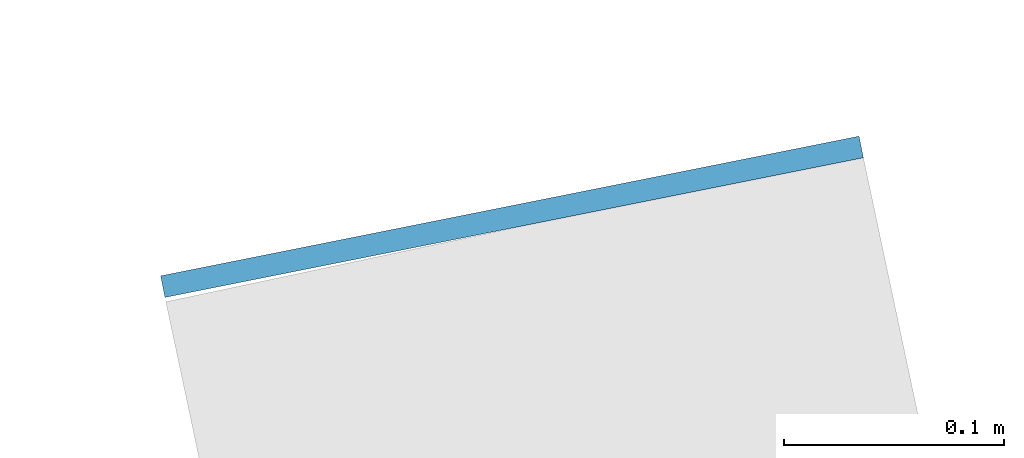
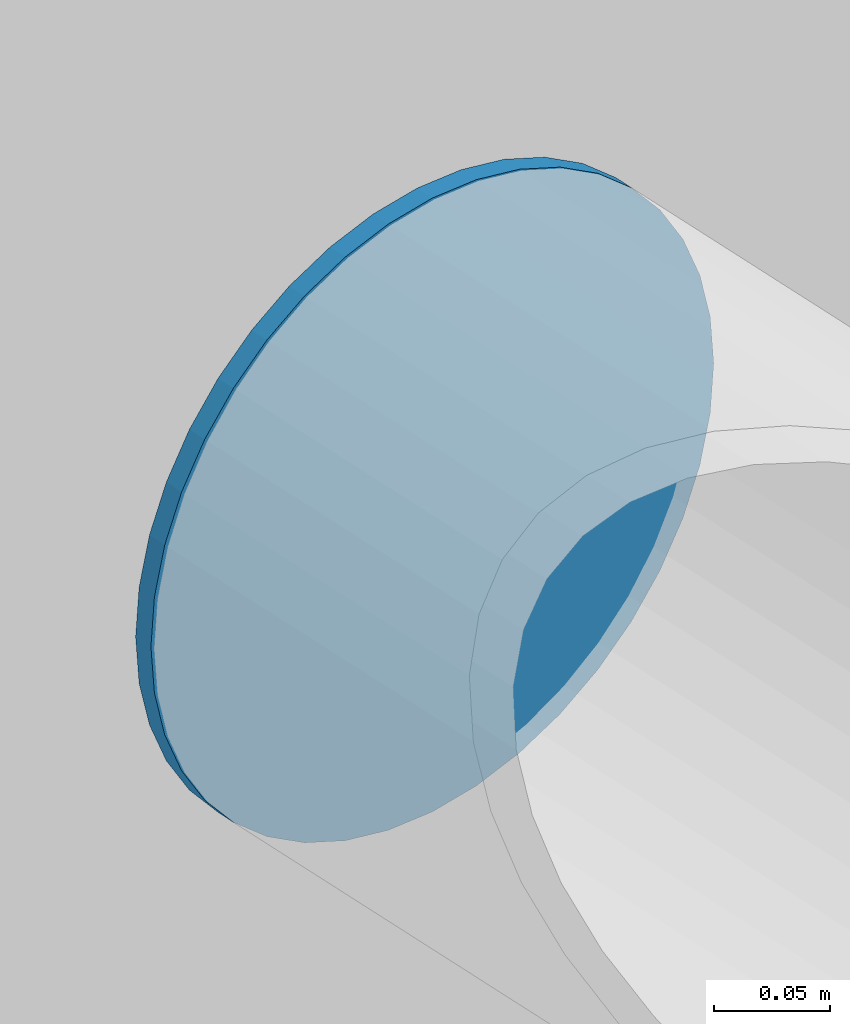
# One storey, part 78 of 95: 1 discrete accessory.
"""IFC4 building model written with IfcOpenShell, lengths in metres."""

from ifc_helpers import new_model, si_unit, direction, frame, origin, origin_2d, place, context, subcontext, project, spatial, circle, extrude, material, layer, layer_set, type_object, element, save


model = new_model("IFC4")

# Units and contexts
model_context = context("Model", 3, precision=1e-05, world=origin(), true_north=direction((0.0, 1.0)))
body_context = subcontext(model_context, "Body", "Model", "MODEL_VIEW")
ifc_project = project(units=[si_unit("LENGTHUNIT", "METRE"), si_unit("AREAUNIT", "SQUARE_METRE"), si_unit("VOLUMEUNIT", "CUBIC_METRE"), si_unit("PLANEANGLEUNIT", "RADIAN"), si_unit("MASSUNIT", "GRAM", prefix="KILO")], contexts=[model_context])

# Site, building, storey
site_placement = place(None, origin())
site = spatial("IfcSite", under=ifc_project, at=site_placement, CompositionType="ELEMENT")
building_placement = place(site_placement, origin())
building = spatial("IfcBuilding", under=site, at=building_placement, Name="Windward Yard Aquatics Centre", CompositionType="ELEMENT")
storey_placement = place(building_placement, frame((0.0, 0.0, 9.39990234375)))
storey = spatial("IfcBuildingStorey", under=building, at=storey_placement, Name="L02", CompositionType="ELEMENT", Elevation=9.39990234375)

# Discrete accessory
ifc_material = material(Name="Steel S355", Category="steel")
ifc_layer = layer(ifc_material, 0.010009765625)
ifc_layer_set = layer_set([ifc_layer], Name="End cap plate 10 mm CHS323.9x12.7")
discrete_accessory_type = type_object("IfcDiscreteAccessoryType", Name="End cap plate 10 mm CHS323.9x12.7", PredefinedType="USERDEFINED", material=ifc_layer_set)
discrete_accessory_placement = place(storey_placement, frame((192.55615234375, 80.093505859375, 4.16796875), z_axis=(-0.196116135138, 0.980580675691, 0.0), x_axis=(-0.980580675691, -0.196116135138, 0.0)))
element("IfcDiscreteAccessory", 1, at=discrete_accessory_placement, inside=storey, type_object=discrete_accessory_type, Name="End cap", ObjectType="END CAP", PredefinedType="USERDEFINED", context=body_context, shape_type="SweptSolid", body=[
    extrude(circle(Radius=0.161865234375, at=origin_2d()), origin(), (0.0, 0.0, 1.0), 0.010009765625),
])

save(model, "model.ifc")
